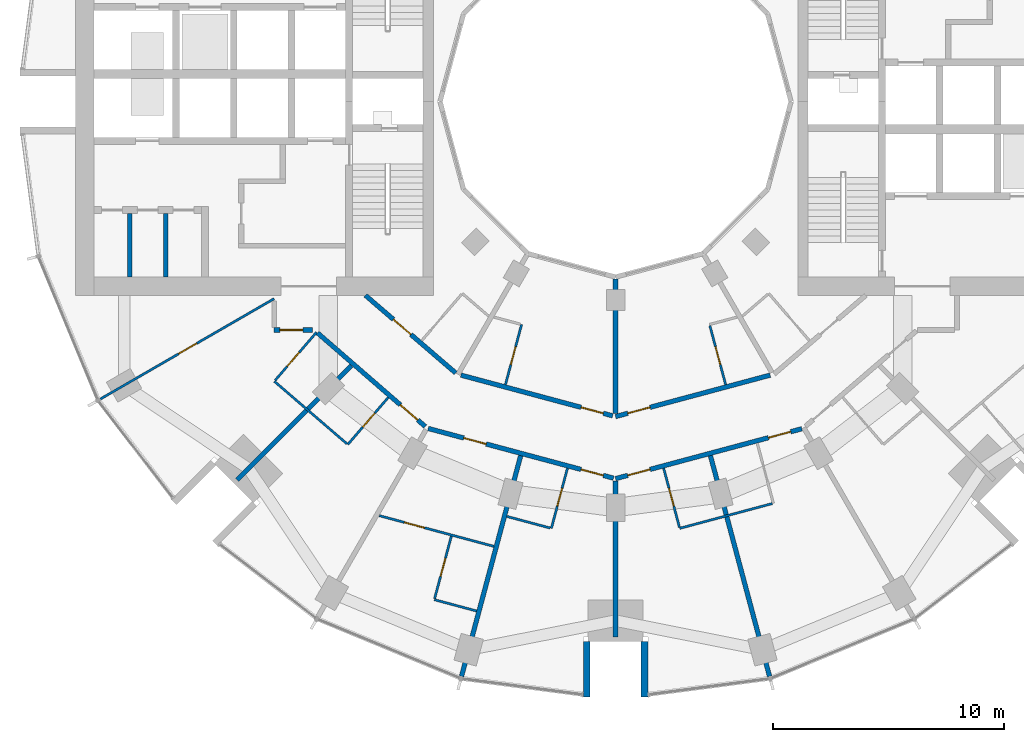
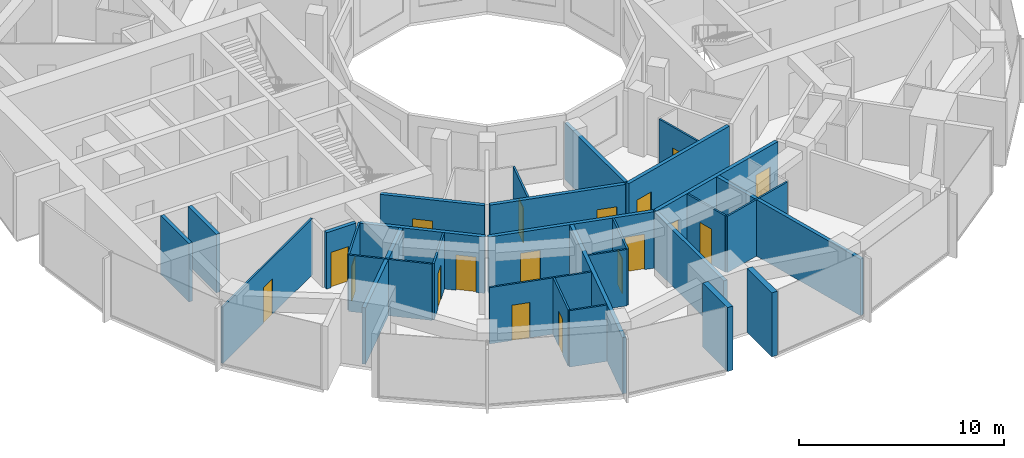
# One storey, part 8 of 15: 29 walls, 18 doors, 18 openings.
"""IFC4 building model written with IfcOpenShell, lengths in metres."""

from ifc_helpers import new_model, si_unit, direction, frame, frame_2d, origin, place, context, subcontext, project, spatial, rectangle, extrude, material, layer, layer_set, type_object, element, fill, save


model = new_model("IFC4")

# Units and contexts
model_context = context("Model", 3, precision=1e-05, world=origin(), true_north=direction((0.0, 1.0)))
body_context = subcontext(model_context, "Body", "Model", "MODEL_VIEW")
ifc_project = project(units=[si_unit("LENGTHUNIT", "METRE"), si_unit("AREAUNIT", "SQUARE_METRE"), si_unit("VOLUMEUNIT", "CUBIC_METRE"), si_unit("PLANEANGLEUNIT", "RADIAN"), si_unit("MASSUNIT", "GRAM", prefix="KILO")], contexts=[model_context])

# Site, building, storey
site_placement = place(None, origin())
site = spatial("IfcSite", under=ifc_project, at=site_placement, CompositionType="ELEMENT")
building_placement = place(site_placement, origin())
building = spatial("IfcBuilding", under=site, at=building_placement, Name="Torre Brocal", CompositionType="ELEMENT")
storey_placement = place(building_placement, frame((0.0, 0.0, 55.39990234375)))
storey = spatial("IfcBuildingStorey", under=building, at=storey_placement, Name="L12", CompositionType="ELEMENT", Elevation=55.39990234375)

# Walls
ifc_material_1 = material(Name="Masonry block", Category="masonry")
ifc_layer_1 = layer(ifc_material_1, 0.199951171875)
ifc_layer_set_1 = layer_set([ifc_layer_1], Name="Masonry block")
wall_type_1 = type_object("IfcWallType", Name="CORE PARTITION 200", PredefinedType="PARTITIONING", material=ifc_layer_set_1)
for number, where, z_axis, x_axis, name in (
    (1, (60.5, 70.14990234375, 0.0), (0.0, 0.0, 1.0), (0.0, -1.0, 0.0), "Wall CP200"),
    (2, (58.949951171875, 70.14990234375, 0.0), (0.0, 0.0, 1.0), (0.0, -1.0, 0.0), "Wall CP200"),
):
    element("IfcWall", number, at=place(storey_placement, frame(where, z_axis=z_axis, x_axis=x_axis)), inside=storey, type_object=wall_type_1, Name=name, PredefinedType="PARTITIONING", context=body_context, shape_type="SweptSolid", body=[
        extrude(rectangle(XDim=2.75, YDim=0.199951171875, at=frame_2d((1.375, 0.0))), origin(), (0.0, 0.0, 1.0), 3.47998046875),
    ])
ifc_material_2 = material(Name="Concrete C80", Category="concrete")
ifc_layer_2 = layer(ifc_material_2, 0.300048828125)
ifc_layer_set_2 = layer_set([ifc_layer_2], Name="Concrete C80")
wall_type_2 = type_object("IfcWallType", Name="NOTCH RETURN WALL 300 C80", PredefinedType="NOTDEFINED", material=ifc_layer_set_2)
for number, where, z_axis, x_axis, name in (
    (3, (78.75, 51.60009765625, 0.0), (0.0, 0.0, 1.0), (0.0, -1.0, 0.0), "NOTCH RETURN WALL"),
    (4, (81.25, 51.60009765625, 0.0), (0.0, 0.0, 1.0), (0.0, -1.0, 0.0), "NOTCH RETURN WALL"),
):
    element("IfcWall", number, at=place(storey_placement, frame(where, z_axis=z_axis, x_axis=x_axis)), inside=storey, type_object=wall_type_2, Name=name, PredefinedType="NOTDEFINED", context=body_context, shape_type="SweptSolid", body=[
        extrude(rectangle(XDim=2.415771484375, YDim=0.300048828125, at=frame_2d((1.2080078125, 0.0))), origin(), (0.0, 0.0, 1.0), 3.800048828125),
    ])

# Wall, opening, door
ifc_material_3 = material(Name="Gypsum board", Category="Gypsum")
ifc_layer_3 = layer(ifc_material_3, 0.10009765625)
ifc_layer_set_3 = layer_set([ifc_layer_3], Name="Gypsum board")
wall_type_3 = type_object("IfcWallType", Name="PARTITION 100", PredefinedType="PARTITIONING", material=ifc_layer_set_3)
wall_1_placement = place(storey_placement, frame((57.65869140625, 62.10107421875, 0.0), z_axis=(0.0, 0.0, 1.0), x_axis=(0.86602264145, 0.500004784474, 0.0)))
wall_1 = element("IfcWall", 5, at=wall_1_placement, inside=storey, type_object=wall_type_3, Name="ROOM PARTITION", PredefinedType="PARTITIONING", context=body_context, shape_type="SweptSolid", body=[
    extrude(rectangle(XDim=8.7080078125, YDim=0.10009765625, at=frame_2d((4.35400390625, 0.0))), origin(), (0.0, 0.0, 1.0), 3.35009765625),
])
opening_1_placement = place(wall_1_placement, frame((3.928955078125, 0.0, 0.0)))
opening_1 = element("IfcOpeningElement", 6, at=opening_1_placement, cuts=wall_1, Name="Opening H03-D38", PredefinedType="OPENING", context=body_context, shape_type="SweptSolid", body=[
    extrude(rectangle(XDim=0.89990234375, YDim=2.10009765625, at=frame_2d((0.449951171875, 1.050048828125))), frame((0.0, 0.06005859375, 0.0), z_axis=(0.0, -1.0, 0.0), x_axis=(1.0, 0.0, 0.0)), (0.0, 0.0, 1.0), 0.1201171875),
])
ifc_material_4 = material(Name="Timber", Category="wood")
door_type_1 = type_object("IfcDoorType", Name="ROOM DOOR 900X2100", OperationType="SINGLE_SWING_LEFT", PredefinedType="DOOR", material=ifc_material_4)
door_1_placement = place(opening_1_placement, origin())
door_1 = element("IfcDoor", 7, at=door_1_placement, inside=storey, type_object=door_type_1, Name="H03-D38", OperationType="SINGLE_SWING_RIGHT", OverallHeight=2.10009765625, OverallWidth=0.89990234375, PredefinedType="DOOR", context=body_context, shape_type="SweptSolid", body=[
    extrude(rectangle(XDim=0.89990234375, YDim=2.10009765625, at=frame_2d((0.449951171875, 1.050048828125))), frame((0.0, 0.02490234375, 0.0), z_axis=(0.0, -1.0, 0.0), x_axis=(1.0, 0.0, 0.0)), (0.0, 0.0, 1.0), 0.050048828125),
])
fill(opening_1, door_1)

wall_2_placement = place(storey_placement, frame((65.24169921875, 62.911865234375, 0.0), z_axis=(0.0, 0.0, 1.0), x_axis=(0.652069888227, 0.758158862553, 0.0)))
wall_2 = element("IfcWall", 8, at=wall_2_placement, inside=storey, type_object=wall_type_3, Name="BATHROOM WALL", PredefinedType="PARTITIONING", context=body_context, shape_type="SweptSolid", body=[
    extrude(rectangle(XDim=2.75, YDim=0.10009765625, at=frame_2d((1.375, 0.0))), origin(), (0.0, 0.0, 1.0), 3.35009765625),
])
opening_2_placement = place(wall_2_placement, frame((0.800048828125, 0.0, 0.0)))
opening_2 = element("IfcOpeningElement", 9, at=opening_2_placement, cuts=wall_2, Name="Opening H03-D37", PredefinedType="OPENING", context=body_context, shape_type="SweptSolid", body=[
    extrude(rectangle(XDim=0.800048828125, YDim=2.10009765625, at=frame_2d((0.39990234375, 1.050048828125))), frame((0.0, 0.06005859375, 0.0), z_axis=(0.0, -1.0, 0.0), x_axis=(1.0, 0.0, 0.0)), (0.0, 0.0, 1.0), 0.1201171875),
])
ifc_material_5 = material(Name="Timber", Category="wood")
door_type_2 = type_object("IfcDoorType", Name="BATHROOM DOOR 800X2100", OperationType="SINGLE_SWING_LEFT", PredefinedType="DOOR", material=ifc_material_5)
door_2_placement = place(opening_2_placement, frame((0.800048828125, 0.0, 0.0), z_axis=(0.0, 0.0, 1.0), x_axis=(-1.0, 0.0, 0.0)))
door_2 = element("IfcDoor", 10, at=door_2_placement, inside=storey, type_object=door_type_2, Name="H03-D37", OperationType="SINGLE_SWING_RIGHT", OverallHeight=2.10009765625, OverallWidth=0.800048828125, PredefinedType="DOOR", context=body_context, shape_type="SweptSolid", body=[
    extrude(rectangle(XDim=0.800048828125, YDim=2.10009765625, at=frame_2d((0.39990234375, 1.050048828125))), frame((0.0, 0.02490234375, 0.0), z_axis=(0.0, -1.0, 0.0), x_axis=(1.0, 0.0, 0.0)), (0.0, 0.0, 1.0), 0.050048828125),
])
fill(opening_2, door_2)

# Wall
wall_3_placement = place(storey_placement, frame((65.209228515625, 62.87451171875, 0.0), z_axis=(0.0, 0.0, 1.0), x_axis=(0.757930378138, -0.652335451969, 0.0)))
element("IfcWall", 11, at=wall_3_placement, inside=storey, type_object=wall_type_3, Name="BATHROOM WALL", PredefinedType="PARTITIONING", context=body_context, shape_type="SweptSolid", body=[
    extrude(rectangle(XDim=4.150146484375, YDim=0.10009765625, at=frame_2d((2.0751953125, 0.0))), origin(), (0.0, 0.0, 1.0), 3.35009765625),
])

# Wall, opening, door
wall_4_placement = place(storey_placement, frame((68.39306640625, 60.135009765625, 0.0), z_axis=(0.0, 0.0, 1.0), x_axis=(0.652061182569, 0.758166349944, 0.0)))
wall_4 = element("IfcWall", 12, at=wall_4_placement, inside=storey, type_object=wall_type_3, Name="BATHROOM WALL", PredefinedType="PARTITIONING", context=body_context, shape_type="SweptSolid", body=[
    extrude(rectangle(XDim=2.689697265625, YDim=0.10009765625, at=frame_2d((1.3447265625, 0.0))), origin(), (0.0, 0.0, 1.0), 3.35009765625),
])
opening_3_placement = place(wall_4_placement, frame((1.0, 0.0, 0.0)))
opening_3 = element("IfcOpeningElement", 13, at=opening_3_placement, cuts=wall_4, Name="Opening H03-D35", PredefinedType="OPENING", context=body_context, shape_type="SweptSolid", body=[
    extrude(rectangle(XDim=0.800048828125, YDim=2.10009765625, at=frame_2d((0.39990234375, 1.050048828125))), frame((0.0, 0.06005859375, 0.0), z_axis=(0.0, -1.0, 0.0), x_axis=(1.0, 0.0, 0.0)), (0.0, 0.0, 1.0), 0.1201171875),
])
door_3_placement = place(opening_3_placement, origin())
door_3 = element("IfcDoor", 14, at=door_3_placement, inside=storey, type_object=door_type_2, Name="H03-D35", OperationType="SINGLE_SWING_RIGHT", OverallHeight=2.10009765625, OverallWidth=0.800048828125, PredefinedType="DOOR", context=body_context, shape_type="SweptSolid", body=[
    extrude(rectangle(XDim=0.800048828125, YDim=2.10009765625, at=frame_2d((0.39990234375, 1.050048828125))), frame((0.0, 0.02490234375, 0.0), z_axis=(0.0, -1.0, 0.0), x_axis=(1.0, 0.0, 0.0)), (0.0, 0.0, 1.0), 0.050048828125),
])
fill(opening_3, door_3)

wall_5_placement = place(storey_placement, frame((69.759521484375, 57.050537109375, 0.0), z_axis=(0.0, 0.0, 1.0), x_axis=(0.965880475586, -0.258988236958, 0.0)))
wall_5 = element("IfcWall", 15, at=wall_5_placement, inside=storey, type_object=wall_type_3, Name="BATHROOM WALL", PredefinedType="PARTITIONING", context=body_context, shape_type="SweptSolid", body=[
    extrude(rectangle(XDim=5.14599609375, YDim=0.10009765625, at=frame_2d((2.572998046875, 0.0))), origin(), (0.0, 0.0, 1.0), 3.35009765625),
])
opening_4_placement = place(wall_5_placement, frame((1.127685546875, 0.0, 0.0)))
opening_4 = element("IfcOpeningElement", 16, at=opening_4_placement, cuts=wall_5, Name="Opening H03-D32", PredefinedType="OPENING", context=body_context, shape_type="SweptSolid", body=[
    extrude(rectangle(XDim=0.89990234375, YDim=2.10009765625, at=frame_2d((0.449951171875, 1.050048828125))), frame((0.0, 0.06005859375, 0.0), z_axis=(0.0, -1.0, 0.0), x_axis=(1.0, 0.0, 0.0)), (0.0, 0.0, 1.0), 0.1201171875),
])
door_4_placement = place(opening_4_placement, origin())
door_4 = element("IfcDoor", 17, at=door_4_placement, inside=storey, type_object=door_type_1, Name="H03-D32", OperationType="SINGLE_SWING_LEFT", OverallHeight=2.10009765625, OverallWidth=0.89990234375, PredefinedType="DOOR", context=body_context, shape_type="SweptSolid", body=[
    extrude(rectangle(XDim=0.89990234375, YDim=2.10009765625, at=frame_2d((0.449951171875, 1.050048828125))), frame((0.0, 0.02490234375, 0.0), z_axis=(0.0, -1.0, 0.0), x_axis=(1.0, 0.0, 0.0)), (0.0, 0.0, 1.0), 0.050048828125),
])
fill(opening_4, door_4)

wall_6_placement = place(storey_placement, frame((72.156982421875, 53.457275390625, 0.0), z_axis=(0.0, 0.0, 1.0), x_axis=(0.258975798317, 0.965883810759, 0.0)))
wall_6 = element("IfcWall", 18, at=wall_6_placement, inside=storey, type_object=wall_type_3, Name="BATHROOM WALL", PredefinedType="PARTITIONING", context=body_context, shape_type="SweptSolid", body=[
    extrude(rectangle(XDim=2.7998046875, YDim=0.10009765625, at=frame_2d((1.39990234375, 0.0))), origin(), (0.0, 0.0, 1.0), 3.35009765625),
])
opening_5_placement = place(wall_6_placement, frame((1.0, 0.0, 0.0)))
opening_5 = element("IfcOpeningElement", 19, at=opening_5_placement, cuts=wall_6, Name="Opening H03-D33", PredefinedType="OPENING", context=body_context, shape_type="SweptSolid", body=[
    extrude(rectangle(XDim=0.800048828125, YDim=2.10009765625, at=frame_2d((0.39990234375, 1.050048828125))), frame((0.0, 0.06005859375, 0.0), z_axis=(0.0, -1.0, 0.0), x_axis=(1.0, 0.0, 0.0)), (0.0, 0.0, 1.0), 0.1201171875),
])
door_5_placement = place(opening_5_placement, frame((0.800048828125, 0.0, 0.0), z_axis=(0.0, 0.0, 1.0), x_axis=(-1.0, 0.0, 0.0)))
door_5 = element("IfcDoor", 20, at=door_5_placement, inside=storey, type_object=door_type_2, Name="H03-D33", OperationType="SINGLE_SWING_LEFT", OverallHeight=2.10009765625, OverallWidth=0.800048828125, PredefinedType="DOOR", context=body_context, shape_type="SweptSolid", body=[
    extrude(rectangle(XDim=0.800048828125, YDim=2.10009765625, at=frame_2d((0.39990234375, 1.050048828125))), frame((0.0, 0.02490234375, 0.0), z_axis=(0.0, -1.0, 0.0), x_axis=(1.0, 0.0, 0.0)), (0.0, 0.0, 1.0), 0.050048828125),
])
fill(opening_5, door_5)

# Walls
wall_7_placement = place(storey_placement, frame((72.14404296875, 53.408935546875, 0.0), z_axis=(0.0, 0.0, 1.0), x_axis=(0.965907902023, -0.258885930111, 0.0)))
element("IfcWall", 21, at=wall_7_placement, inside=storey, type_object=wall_type_3, Name="BATHROOM WALL", PredefinedType="PARTITIONING", context=body_context, shape_type="SweptSolid", body=[
    extrude(rectangle(XDim=1.900146484375, YDim=0.10009765625, at=frame_2d((0.9501953125, 0.0))), origin(), (0.0, 0.0, 1.0), 3.35009765625),
])
wall_8_placement = place(storey_placement, frame((75.285888671875, 57.01806640625, 0.0), z_axis=(0.0, 0.0, 1.0), x_axis=(0.966003902934, -0.258527483095, 0.0)))
element("IfcWall", 22, at=wall_8_placement, inside=storey, type_object=wall_type_3, Name="BATHROOM WALL", PredefinedType="PARTITIONING", context=body_context, shape_type="SweptSolid", body=[
    extrude(rectangle(XDim=1.9501953125, YDim=0.10009765625, at=frame_2d((0.97509765625, 0.0))), origin(), (0.0, 0.0, 1.0), 3.35009765625),
])

# Wall, opening, door
wall_9_placement = place(storey_placement, frame((75.226806640625, 62.728759765625, 0.0), z_axis=(0.0, 0.0, 1.0), x_axis=(0.258945475746, 0.965891940432, 0.0)))
wall_9 = element("IfcWall", 23, at=wall_9_placement, inside=storey, type_object=wall_type_3, Name="BATHROOM WALL", PredefinedType="PARTITIONING", context=body_context, shape_type="SweptSolid", body=[
    extrude(rectangle(XDim=2.7001953125, YDim=0.10009765625, at=frame_2d((1.35009765625, 0.0))), origin(), (0.0, 0.0, 1.0), 3.35009765625),
])
opening_6_placement = place(wall_9_placement, frame((0.900146484375, 0.0, 0.0)))
opening_6 = element("IfcOpeningElement", 24, at=opening_6_placement, cuts=wall_9, Name="Opening H03-D44", PredefinedType="OPENING", context=body_context, shape_type="SweptSolid", body=[
    extrude(rectangle(XDim=0.800048828125, YDim=2.10009765625, at=frame_2d((0.39990234375, 1.050048828125))), frame((0.0, 0.06005859375, 0.0), z_axis=(0.0, -1.0, 0.0), x_axis=(1.0, 0.0, 0.0)), (0.0, 0.0, 1.0), 0.1201171875),
])
door_6_placement = place(opening_6_placement, origin())
door_6 = element("IfcDoor", 25, at=door_6_placement, inside=storey, type_object=door_type_2, Name="H03-D44", OperationType="SINGLE_SWING_LEFT", OverallHeight=2.10009765625, OverallWidth=0.800048828125, PredefinedType="DOOR", context=body_context, shape_type="SweptSolid", body=[
    extrude(rectangle(XDim=0.800048828125, YDim=2.10009765625, at=frame_2d((0.39990234375, 1.050048828125))), frame((0.0, 0.02490234375, 0.0), z_axis=(0.0, -1.0, 0.0), x_axis=(1.0, 0.0, 0.0)), (0.0, 0.0, 1.0), 0.050048828125),
])
fill(opening_6, door_6)

wall_10_placement = place(storey_placement, frame((77.218017578125, 56.5009765625, 0.0), z_axis=(0.0, 0.0, 1.0), x_axis=(0.258591408257, 0.965986792651, 0.0)))
wall_10 = element("IfcWall", 26, at=wall_10_placement, inside=storey, type_object=wall_type_3, Name="BATHROOM WALL", PredefinedType="PARTITIONING", context=body_context, shape_type="SweptSolid", body=[
    extrude(rectangle(XDim=2.69921875, YDim=0.10009765625, at=frame_2d((1.349609375, 0.0))), origin(), (0.0, 0.0, 1.0), 3.35009765625),
])
opening_7_placement = place(wall_10_placement, frame((0.99951171875, 0.0, 0.0)))
opening_7 = element("IfcOpeningElement", 27, at=opening_7_placement, cuts=wall_10, Name="Opening H03-D30", PredefinedType="OPENING", context=body_context, shape_type="SweptSolid", body=[
    extrude(rectangle(XDim=0.800048828125, YDim=2.10009765625, at=frame_2d((0.39990234375, 1.050048828125))), frame((0.0, 0.06005859375, 0.0), z_axis=(0.0, -1.0, 0.0), x_axis=(1.0, 0.0, 0.0)), (0.0, 0.0, 1.0), 0.1201171875),
])
door_7_placement = place(opening_7_placement, origin())
door_7 = element("IfcDoor", 28, at=door_7_placement, inside=storey, type_object=door_type_2, Name="H03-D30", OperationType="SINGLE_SWING_RIGHT", OverallHeight=2.10009765625, OverallWidth=0.800048828125, PredefinedType="DOOR", context=body_context, shape_type="SweptSolid", body=[
    extrude(rectangle(XDim=0.800048828125, YDim=2.10009765625, at=frame_2d((0.39990234375, 1.050048828125))), frame((0.0, 0.02490234375, 0.0), z_axis=(0.0, -1.0, 0.0), x_axis=(1.0, 0.0, 0.0)), (0.0, 0.0, 1.0), 0.050048828125),
])
fill(opening_7, door_7)

wall_11_placement = place(storey_placement, frame((82.083984375, 59.1083984375, 0.0), z_axis=(0.0, 0.0, 1.0), x_axis=(0.258591746437, -0.965986702121, 0.0)))
wall_11 = element("IfcWall", 29, at=wall_11_placement, inside=storey, type_object=wall_type_3, Name="BATHROOM WALL", PredefinedType="PARTITIONING", context=body_context, shape_type="SweptSolid", body=[
    extrude(rectangle(XDim=2.649169921875, YDim=0.10009765625, at=frame_2d((1.32470703125, 0.0))), origin(), (0.0, 0.0, 1.0), 3.35009765625),
])
opening_8_placement = place(wall_11_placement, frame((0.899658203125, 0.0, 0.0)))
opening_8 = element("IfcOpeningElement", 30, at=opening_8_placement, cuts=wall_11, Name="Opening H03-D28", PredefinedType="OPENING", context=body_context, shape_type="SweptSolid", body=[
    extrude(rectangle(XDim=0.800048828125, YDim=2.10009765625, at=frame_2d((0.39990234375, 1.050048828125))), frame((0.0, 0.06005859375, 0.0), z_axis=(0.0, -1.0, 0.0), x_axis=(1.0, 0.0, 0.0)), (0.0, 0.0, 1.0), 0.1201171875),
])
door_8_placement = place(opening_8_placement, origin())
door_8 = element("IfcDoor", 31, at=door_8_placement, inside=storey, type_object=door_type_2, Name="H03-D28", OperationType="SINGLE_SWING_LEFT", OverallHeight=2.10009765625, OverallWidth=0.800048828125, PredefinedType="DOOR", context=body_context, shape_type="SweptSolid", body=[
    extrude(rectangle(XDim=0.800048828125, YDim=2.10009765625, at=frame_2d((0.39990234375, 1.050048828125))), frame((0.0, 0.02490234375, 0.0), z_axis=(0.0, -1.0, 0.0), x_axis=(1.0, 0.0, 0.0)), (0.0, 0.0, 1.0), 0.050048828125),
])
fill(opening_8, door_8)

# Wall
wall_12_placement = place(storey_placement, frame((82.781982421875, 56.5009765625, 0.0), z_axis=(0.0, 0.0, 1.0), x_axis=(0.965999228418, 0.258544949083, 0.0)))
element("IfcWall", 32, at=wall_12_placement, inside=storey, type_object=wall_type_3, Name="BATHROOM WALL", PredefinedType="PARTITIONING", context=body_context, shape_type="SweptSolid", body=[
    extrude(rectangle(XDim=4.150146484375, YDim=0.10009765625, at=frame_2d((2.0751953125, 0.0))), origin(), (0.0, 0.0, 1.0), 3.35009765625),
])

# Wall, opening, door
wall_13_placement = place(storey_placement, frame((84.0869140625, 65.288818359375, 0.0), z_axis=(0.0, 0.0, 1.0), x_axis=(0.258929459649, -0.965896234037, 0.0)))
wall_13 = element("IfcWall", 33, at=wall_13_placement, inside=storey, type_object=wall_type_3, Name="BATHROOM WALL", PredefinedType="PARTITIONING", context=body_context, shape_type="SweptSolid", body=[
    extrude(rectangle(XDim=2.650390625, YDim=0.10009765625, at=frame_2d((1.3251953125, 0.0))), origin(), (0.0, 0.0, 1.0), 3.35009765625),
])
opening_9_placement = place(wall_13_placement, frame((0.9501953125, 0.0, 0.0)))
opening_9 = element("IfcOpeningElement", 34, at=opening_9_placement, cuts=wall_13, Name="Opening H03-D42", PredefinedType="OPENING", context=body_context, shape_type="SweptSolid", body=[
    extrude(rectangle(XDim=0.800048828125, YDim=2.10009765625, at=frame_2d((0.39990234375, 1.050048828125))), frame((0.0, 0.06005859375, 0.0), z_axis=(0.0, -1.0, 0.0), x_axis=(1.0, 0.0, 0.0)), (0.0, 0.0, 1.0), 0.1201171875),
])
door_9_placement = place(opening_9_placement, origin())
door_9 = element("IfcDoor", 35, at=door_9_placement, inside=storey, type_object=door_type_2, Name="H03-D42", OperationType="SINGLE_SWING_RIGHT", OverallHeight=2.10009765625, OverallWidth=0.800048828125, PredefinedType="DOOR", context=body_context, shape_type="SweptSolid", body=[
    extrude(rectangle(XDim=0.800048828125, YDim=2.10009765625, at=frame_2d((0.39990234375, 1.050048828125))), frame((0.0, 0.02490234375, 0.0), z_axis=(0.0, -1.0, 0.0), x_axis=(1.0, 0.0, 0.0)), (0.0, 0.0, 1.0), 0.050048828125),
])
fill(opening_9, door_9)

# Wall
ifc_material_6 = material(Name="Gypsum board", Category="Gypsum")
ifc_layer_4 = layer(ifc_material_6, 0.199951171875)
ifc_layer_set_4 = layer_set([ifc_layer_4], Name="Gypsum board")
wall_type_4 = type_object("IfcWallType", Name="PARTITION 200 EI60", PredefinedType="PARTITIONING", material=ifc_layer_set_4)
wall_14_placement = place(storey_placement, frame((63.595703125, 58.595703125, 0.0), z_axis=(0.0, 0.0, 1.0), x_axis=(0.707106781187, 0.707106781187, 0.0)))
element("IfcWall", 36, at=wall_14_placement, inside=storey, type_object=wall_type_4, Name="BATHROOM WALL", PredefinedType="PARTITIONING", context=body_context, shape_type="SweptSolid", body=[
    extrude(rectangle(XDim=7.00537109375, YDim=0.199951171875, at=frame_2d((3.502685546875, 0.0))), origin(), (0.0, 0.0, 1.0), 3.35009765625),
])

# Wall, opening, door
wall_15_placement = place(storey_placement, frame((65.199951171875, 65.10009765625, 0.0), z_axis=(0.0, 0.0, 1.0), x_axis=(1.0, 0.0, 0.0)))
wall_15 = element("IfcWall", 37, at=wall_15_placement, inside=storey, type_object=wall_type_4, Name="GUESTROOM CORRIDOR WALL", PredefinedType="PARTITIONING", context=body_context, shape_type="SweptSolid", body=[
    extrude(rectangle(XDim=1.6650390625, YDim=0.199951171875, at=frame_2d((0.83251953125, 0.0))), origin(), (0.0, 0.0, 1.0), 3.35009765625),
])
opening_10_placement = place(wall_15_placement, frame((0.25, 0.0, 0.0)))
opening_10 = element("IfcOpeningElement", 38, at=opening_10_placement, cuts=wall_15, Name="Opening H03-D36", PredefinedType="OPENING", context=body_context, shape_type="SweptSolid", body=[
    extrude(rectangle(XDim=1.0, YDim=2.10009765625, at=frame_2d((0.5, 1.050048828125))), frame((0.0, 0.10986328125, 0.0), z_axis=(0.0, -1.0, 0.0), x_axis=(1.0, 0.0, 0.0)), (0.0, 0.0, 1.0), 0.219970703125),
])
ifc_material_7 = material(Name="Timber", Category="wood")
door_type_3 = type_object("IfcDoorType", Name="FLAT ENTRY DOOR FD30S 1000X2100", OperationType="SINGLE_SWING_RIGHT", PredefinedType="DOOR", material=ifc_material_7)
door_10_placement = place(opening_10_placement, frame((1.0, 0.0, 0.0), z_axis=(0.0, 0.0, 1.0), x_axis=(-1.0, 0.0, 0.0)))
door_10 = element("IfcDoor", 39, at=door_10_placement, inside=storey, type_object=door_type_3, Name="H03-D36", OperationType="SINGLE_SWING_RIGHT", OverallHeight=2.10009765625, OverallWidth=1.0, PredefinedType="DOOR", context=body_context, shape_type="SweptSolid", body=[
    extrude(rectangle(XDim=1.0, YDim=2.10009765625, at=frame_2d((0.5, 1.050048828125))), frame((0.0, 0.02490234375, 0.0), z_axis=(0.0, -1.0, 0.0), x_axis=(1.0, 0.0, 0.0)), (0.0, 0.0, 1.0), 0.050048828125),
])
fill(opening_10, door_10)

wall_16_placement = place(storey_placement, frame((67.081298828125, 64.97119140625, 0.0), z_axis=(0.0, 0.0, 1.0), x_axis=(0.755031061605, -0.65568902386, 0.0)))
wall_16 = element("IfcWall", 40, at=wall_16_placement, inside=storey, type_object=wall_type_4, Name="FLAT ENTRANCE WALL", PredefinedType="PARTITIONING", context=body_context, shape_type="SweptSolid", body=[
    extrude(rectangle(XDim=6.185791015625, YDim=0.199951171875, at=frame_2d((3.0927734375, 0.0))), origin(), (0.0, 0.0, 1.0), 3.35009765625),
])
opening_11_placement = place(wall_16_placement, frame((4.755126953125, 0.0, 0.0)))
opening_11 = element("IfcOpeningElement", 41, at=opening_11_placement, cuts=wall_16, Name="Opening H03-D34", PredefinedType="OPENING", context=body_context, shape_type="SweptSolid", body=[
    extrude(rectangle(XDim=1.0, YDim=2.10009765625, at=frame_2d((0.5, 1.050048828125))), frame((0.0, 0.10986328125, 0.0), z_axis=(0.0, -1.0, 0.0), x_axis=(1.0, 0.0, 0.0)), (0.0, 0.0, 1.0), 0.219970703125),
])
door_11_placement = place(opening_11_placement, frame((1.0, 0.0, 0.0), z_axis=(0.0, 0.0, 1.0), x_axis=(-1.0, 0.0, 0.0)))
door_11 = element("IfcDoor", 42, at=door_11_placement, inside=storey, type_object=door_type_3, Name="H03-D34", OperationType="SINGLE_SWING_LEFT", OverallHeight=2.10009765625, OverallWidth=1.0, PredefinedType="DOOR", context=body_context, shape_type="SweptSolid", body=[
    extrude(rectangle(XDim=1.0, YDim=2.10009765625, at=frame_2d((0.5, 1.050048828125))), frame((0.0, 0.02490234375, 0.0), z_axis=(0.0, -1.0, 0.0), x_axis=(1.0, 0.0, 0.0)), (0.0, 0.0, 1.0), 0.050048828125),
])
fill(opening_11, door_11)

wall_17_placement = place(storey_placement, frame((69.158203125, 66.60009765625, 0.0), z_axis=(0.0, 0.0, 1.0), x_axis=(0.757976058094, -0.652282373943, 0.0)))
wall_17 = element("IfcWall", 43, at=wall_17_placement, inside=storey, type_object=wall_type_4, Name="GUESTROOM CORRIDOR WALL", PredefinedType="PARTITIONING", context=body_context, shape_type="SweptSolid", body=[
    extrude(rectangle(XDim=5.160400390625, YDim=0.199951171875, at=frame_2d((2.580078125, 0.0))), origin(), (0.0, 0.0, 1.0), 3.35009765625),
])
opening_12_placement = place(wall_17_placement, frame((1.60009765625, 0.0, 0.0)))
opening_12 = element("IfcOpeningElement", 44, at=opening_12_placement, cuts=wall_17, Name="Opening H03-D45", PredefinedType="OPENING", context=body_context, shape_type="SweptSolid", body=[
    extrude(rectangle(XDim=1.0, YDim=2.10009765625, at=frame_2d((0.5, 1.050048828125))), frame((0.0, 0.10986328125, 0.0), z_axis=(0.0, -1.0, 0.0), x_axis=(1.0, 0.0, 0.0)), (0.0, 0.0, 1.0), 0.219970703125),
])
door_12_placement = place(opening_12_placement, origin())
door_12 = element("IfcDoor", 45, at=door_12_placement, inside=storey, type_object=door_type_3, Name="H03-D45", OperationType="SINGLE_SWING_RIGHT", OverallHeight=2.10009765625, OverallWidth=1.0, PredefinedType="DOOR", context=body_context, shape_type="SweptSolid", body=[
    extrude(rectangle(XDim=1.0, YDim=2.10009765625, at=frame_2d((0.5, 1.050048828125))), frame((0.0, 0.02490234375, 0.0), z_axis=(0.0, -1.0, 0.0), x_axis=(1.0, 0.0, 0.0)), (0.0, 0.0, 1.0), 0.050048828125),
])
fill(opening_12, door_12)

# Wall, openings, doors
wall_18_placement = place(storey_placement, frame((71.877197265625, 60.831298828125, 0.0), z_axis=(0.0, 0.0, 1.0), x_axis=(0.965852509869, -0.259092510851, 0.0)))
wall_18 = element("IfcWall", 46, at=wall_18_placement, inside=storey, type_object=wall_type_4, Name="FLAT ENTRANCE WALL", PredefinedType="PARTITIONING", context=body_context, shape_type="SweptSolid", body=[
    extrude(rectangle(XDim=8.319580078125, YDim=0.199951171875, at=frame_2d((4.15966796875, 0.0))), origin(), (0.0, 0.0, 1.0), 3.35009765625),
])
opening_13_placement = place(wall_18_placement, frame((6.859619140625, 0.0, 0.0)))
opening_13 = element("IfcOpeningElement", 47, at=opening_13_placement, cuts=wall_18, Name="Opening H03-D29", PredefinedType="OPENING", context=body_context, shape_type="SweptSolid", body=[
    extrude(rectangle(XDim=1.0, YDim=2.10009765625, at=frame_2d((0.5, 1.050048828125))), frame((0.0, 0.10986328125, 0.0), z_axis=(0.0, -1.0, 0.0), x_axis=(1.0, 0.0, 0.0)), (0.0, 0.0, 1.0), 0.219970703125),
])
opening_14_placement = place(wall_18_placement, frame((1.599609375, 0.0, 0.0)))
opening_14 = element("IfcOpeningElement", 48, at=opening_14_placement, cuts=wall_18, Name="Opening H03-D31", PredefinedType="OPENING", context=body_context, shape_type="SweptSolid", body=[
    extrude(rectangle(XDim=1.0, YDim=2.10009765625, at=frame_2d((0.5, 1.050048828125))), frame((0.0, 0.10986328125, 0.0), z_axis=(0.0, -1.0, 0.0), x_axis=(1.0, 0.0, 0.0)), (0.0, 0.0, 1.0), 0.219970703125),
])
door_13_placement = place(opening_13_placement, frame((1.0, 0.0, 0.0), z_axis=(0.0, 0.0, 1.0), x_axis=(-1.0, 0.0, 0.0)))
door_13 = element("IfcDoor", 49, at=door_13_placement, inside=storey, type_object=door_type_3, Name="H03-D29", OperationType="SINGLE_SWING_RIGHT", OverallHeight=2.10009765625, OverallWidth=1.0, PredefinedType="DOOR", context=body_context, shape_type="SweptSolid", body=[
    extrude(rectangle(XDim=1.0, YDim=2.10009765625, at=frame_2d((0.5, 1.050048828125))), frame((0.0, 0.02490234375, 0.0), z_axis=(0.0, -1.0, 0.0), x_axis=(1.0, 0.0, 0.0)), (0.0, 0.0, 1.0), 0.050048828125),
])
fill(opening_13, door_13)
door_14_placement = place(opening_14_placement, frame((1.0, 0.0, 0.0), z_axis=(0.0, 0.0, 1.0), x_axis=(-1.0, 0.0, 0.0)))
door_14 = element("IfcDoor", 50, at=door_14_placement, inside=storey, type_object=door_type_3, Name="H03-D31", OperationType="SINGLE_SWING_LEFT", OverallHeight=2.10009765625, OverallWidth=1.0, PredefinedType="DOOR", context=body_context, shape_type="SweptSolid", body=[
    extrude(rectangle(XDim=1.0, YDim=2.10009765625, at=frame_2d((0.5, 1.050048828125))), frame((0.0, 0.02490234375, 0.0), z_axis=(0.0, -1.0, 0.0), x_axis=(1.0, 0.0, 0.0)), (0.0, 0.0, 1.0), 0.050048828125),
])
fill(opening_14, door_14)

# Wall, opening, door
wall_19_placement = place(storey_placement, frame((73.296875, 63.142578125, 0.0), z_axis=(0.0, 0.0, 1.0), x_axis=(0.965859030528, -0.25906820173, 0.0)))
wall_19 = element("IfcWall", 51, at=wall_19_placement, inside=storey, type_object=wall_type_4, Name="GUESTROOM CORRIDOR WALL", PredefinedType="PARTITIONING", context=body_context, shape_type="SweptSolid", body=[
    extrude(rectangle(XDim=6.8095703125, YDim=0.199951171875, at=frame_2d((3.40478515625, 0.0))), origin(), (0.0, 0.0, 1.0), 3.35009765625),
])
opening_15_placement = place(wall_19_placement, frame((5.3896484375, 0.0, 0.0)))
opening_15 = element("IfcOpeningElement", 52, at=opening_15_placement, cuts=wall_19, Name="Opening H03-D43", PredefinedType="OPENING", context=body_context, shape_type="SweptSolid", body=[
    extrude(rectangle(XDim=1.0, YDim=2.10009765625, at=frame_2d((0.5, 1.050048828125))), frame((0.0, 0.10986328125, 0.0), z_axis=(0.0, -1.0, 0.0), x_axis=(1.0, 0.0, 0.0)), (0.0, 0.0, 1.0), 0.219970703125),
])
door_15_placement = place(opening_15_placement, origin())
door_15 = element("IfcDoor", 53, at=door_15_placement, inside=storey, type_object=door_type_3, Name="H03-D43", OperationType="SINGLE_SWING_RIGHT", OverallHeight=2.10009765625, OverallWidth=1.0, PredefinedType="DOOR", context=body_context, shape_type="SweptSolid", body=[
    extrude(rectangle(XDim=1.0, YDim=2.10009765625, at=frame_2d((0.5, 1.050048828125))), frame((0.0, 0.02490234375, 0.0), z_axis=(0.0, -1.0, 0.0), x_axis=(1.0, 0.0, 0.0)), (0.0, 0.0, 1.0), 0.050048828125),
])
fill(opening_15, door_15)

# Walls
wall_20_placement = place(storey_placement, frame((73.322021484375, 50.0810546875, 0.0), z_axis=(0.0, 0.0, 1.0), x_axis=(0.25896431718, 0.965886889044, 0.0)))
element("IfcWall", 54, at=wall_20_placement, inside=storey, type_object=wall_type_4, Name="BATHROOM WALL", PredefinedType="PARTITIONING", context=body_context, shape_type="SweptSolid", body=[
    extrude(rectangle(XDim=9.909423828125, YDim=0.199951171875, at=frame_2d((4.95458984375, 0.0))), origin(), (0.0, 0.0, 1.0), 3.35009765625),
])
wall_21_placement = place(storey_placement, frame((80.0, 51.800048828125, 0.0), z_axis=(0.0, 0.0, 1.0), x_axis=(0.0, 1.0, 0.0)))
element("IfcWall", 55, at=wall_21_placement, inside=storey, type_object=wall_type_4, Name="PARTY PARTITION", PredefinedType="PARTITIONING", context=body_context, shape_type="SweptSolid", body=[
    extrude(rectangle(XDim=6.763916015625, YDim=0.199951171875, at=frame_2d((3.3818359375, 0.0))), origin(), (0.0, 0.0, 1.0), 3.35009765625),
])

# Wall, openings, doors
wall_22_placement = place(storey_placement, frame((79.999755859375, 58.65478515625, 0.0), z_axis=(0.0, 0.0, 1.0), x_axis=(0.965974635626, 0.258636817424, 0.0)))
wall_22 = element("IfcWall", 56, at=wall_22_placement, inside=storey, type_object=wall_type_4, Name="GUESTROOM CORRIDOR WALL", PredefinedType="PARTITIONING", context=body_context, shape_type="SweptSolid", body=[
    extrude(rectangle(XDim=8.359619140625, YDim=0.199951171875, at=frame_2d((4.1796875, 0.0))), origin(), (0.0, 0.0, 1.0), 3.35009765625),
])
opening_16_placement = place(wall_22_placement, frame((6.859619140625, 0.0, 0.0)))
opening_16 = element("IfcOpeningElement", 57, at=opening_16_placement, cuts=wall_22, Name="Opening H03-D25", PredefinedType="OPENING", context=body_context, shape_type="SweptSolid", body=[
    extrude(rectangle(XDim=1.0, YDim=2.10009765625, at=frame_2d((0.5, 1.050048828125))), frame((0.0, 0.10986328125, 0.0), z_axis=(0.0, -1.0, 0.0), x_axis=(1.0, 0.0, 0.0)), (0.0, 0.0, 1.0), 0.219970703125),
])
opening_17_placement = place(wall_22_placement, frame((0.550048828125, 0.0, 0.0)))
opening_17 = element("IfcOpeningElement", 58, at=opening_17_placement, cuts=wall_22, Name="Opening H03-D27", PredefinedType="OPENING", context=body_context, shape_type="SweptSolid", body=[
    extrude(rectangle(XDim=1.0, YDim=2.10009765625, at=frame_2d((0.5, 1.050048828125))), frame((0.0, 0.10986328125, 0.0), z_axis=(0.0, -1.0, 0.0), x_axis=(1.0, 0.0, 0.0)), (0.0, 0.0, 1.0), 0.219970703125),
])
door_16_placement = place(opening_16_placement, frame((1.0, 0.0, 0.0), z_axis=(0.0, 0.0, 1.0), x_axis=(-1.0, 0.0, 0.0)))
door_16 = element("IfcDoor", 59, at=door_16_placement, inside=storey, type_object=door_type_3, Name="H03-D25", OperationType="SINGLE_SWING_RIGHT", OverallHeight=2.10009765625, OverallWidth=1.0, PredefinedType="DOOR", context=body_context, shape_type="SweptSolid", body=[
    extrude(rectangle(XDim=1.0, YDim=2.10009765625, at=frame_2d((0.5, 1.050048828125))), frame((0.0, 0.02490234375, 0.0), z_axis=(0.0, -1.0, 0.0), x_axis=(1.0, 0.0, 0.0)), (0.0, 0.0, 1.0), 0.050048828125),
])
fill(opening_16, door_16)
door_17_placement = place(opening_17_placement, frame((1.0, 0.0, 0.0), z_axis=(0.0, 0.0, 1.0), x_axis=(-1.0, 0.0, 0.0)))
door_17 = element("IfcDoor", 60, at=door_17_placement, inside=storey, type_object=door_type_3, Name="H03-D27", OperationType="SINGLE_SWING_LEFT", OverallHeight=2.10009765625, OverallWidth=1.0, PredefinedType="DOOR", context=body_context, shape_type="SweptSolid", body=[
    extrude(rectangle(XDim=1.0, YDim=2.10009765625, at=frame_2d((0.5, 1.050048828125))), frame((0.0, 0.02490234375, 0.0), z_axis=(0.0, -1.0, 0.0), x_axis=(1.0, 0.0, 0.0)), (0.0, 0.0, 1.0), 0.050048828125),
])
fill(opening_17, door_17)

# Wall
wall_23_placement = place(storey_placement, frame((80.0, 61.47607421875, 0.0), z_axis=(0.0, 0.0, 1.0), x_axis=(0.0, 1.0, 0.0)))
element("IfcWall", 61, at=wall_23_placement, inside=storey, type_object=wall_type_4, Name="PARTY PARTITION", PredefinedType="PARTITIONING", context=body_context, shape_type="SweptSolid", body=[
    extrude(rectangle(XDim=5.824951171875, YDim=0.199951171875, at=frame_2d((2.91259765625, 0.0))), origin(), (0.0, 0.0, 1.0), 3.35009765625),
])

# Wall, opening, door
wall_24_placement = place(storey_placement, frame((80.0, 61.345947265625, 0.0), z_axis=(0.0, 0.0, 1.0), x_axis=(0.965924181808, 0.258825182312, 0.0)))
wall_24 = element("IfcWall", 62, at=wall_24_placement, inside=storey, type_object=wall_type_4, Name="GUESTROOM CORRIDOR WALL", PredefinedType="PARTITIONING", context=body_context, shape_type="SweptSolid", body=[
    extrude(rectangle(XDim=6.939697265625, YDim=0.199951171875, at=frame_2d((3.4697265625, 0.0))), origin(), (0.0, 0.0, 1.0), 3.35009765625),
])
opening_18_placement = place(wall_24_placement, frame((0.550048828125, 0.0, 0.0)))
opening_18 = element("IfcOpeningElement", 63, at=opening_18_placement, cuts=wall_24, Name="Opening H03-D41", PredefinedType="OPENING", context=body_context, shape_type="SweptSolid", body=[
    extrude(rectangle(XDim=1.0, YDim=2.10009765625, at=frame_2d((0.5, 1.050048828125))), frame((0.0, 0.10986328125, 0.0), z_axis=(0.0, -1.0, 0.0), x_axis=(1.0, 0.0, 0.0)), (0.0, 0.0, 1.0), 0.219970703125),
])
door_18_placement = place(opening_18_placement, origin())
door_18 = element("IfcDoor", 64, at=door_18_placement, inside=storey, type_object=door_type_3, Name="H03-D41", OperationType="SINGLE_SWING_LEFT", OverallHeight=2.10009765625, OverallWidth=1.0, PredefinedType="DOOR", context=body_context, shape_type="SweptSolid", body=[
    extrude(rectangle(XDim=1.0, YDim=2.10009765625, at=frame_2d((0.5, 1.050048828125))), frame((0.0, 0.02490234375, 0.0), z_axis=(0.0, -1.0, 0.0), x_axis=(1.0, 0.0, 0.0)), (0.0, 0.0, 1.0), 0.050048828125),
])
fill(opening_18, door_18)

# Wall
wall_25_placement = place(storey_placement, frame((84.112060546875, 59.65234375, 0.0), z_axis=(0.0, 0.0, 1.0), x_axis=(0.258843225553, -0.965919346832, 0.0)))
element("IfcWall", 65, at=wall_25_placement, inside=storey, type_object=wall_type_4, Name="BATHROOM WALL", PredefinedType="PARTITIONING", context=body_context, shape_type="SweptSolid", body=[
    extrude(rectangle(XDim=9.9091796875, YDim=0.199951171875, at=frame_2d((4.95458984375, 0.0))), origin(), (0.0, 0.0, 1.0), 3.35009765625),
])

save(model, "model.ifc")
